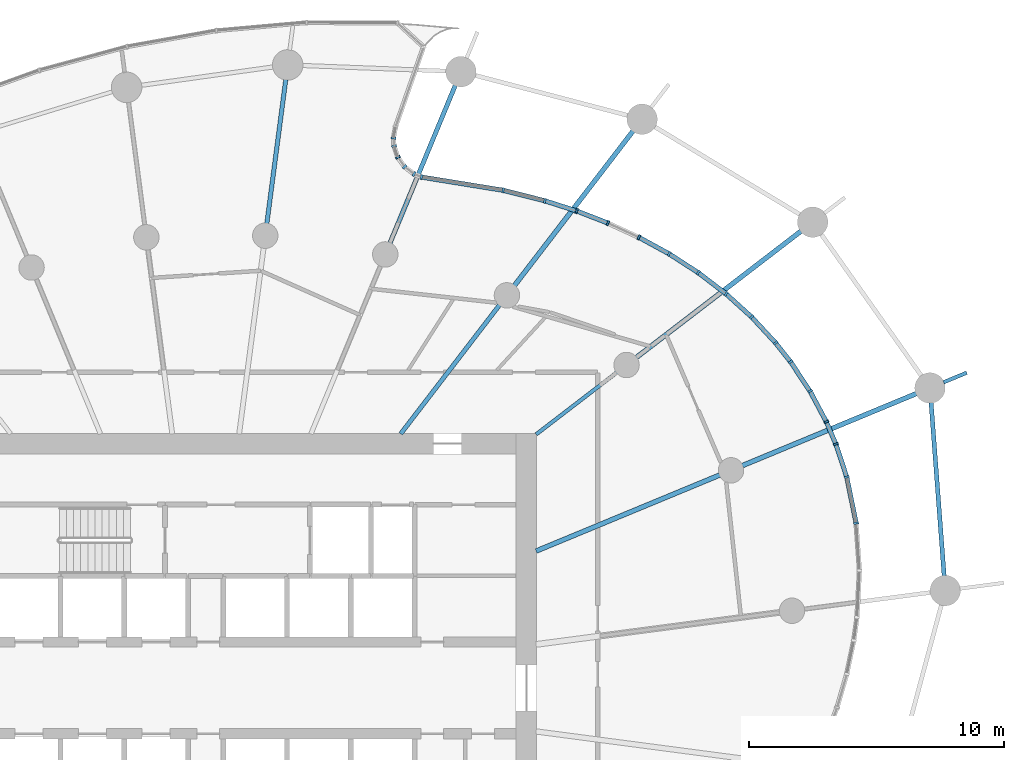
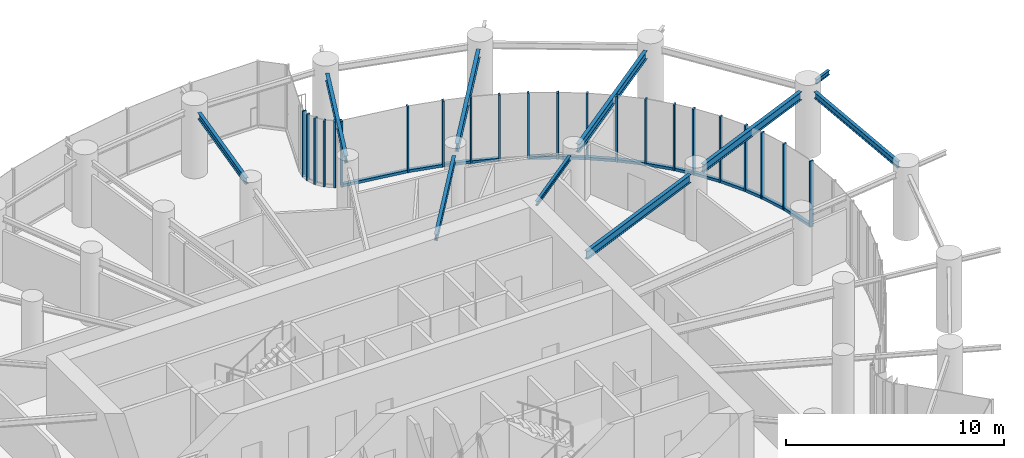
# One storey, part 7 of 21: 37 members, 10 beams, 5 elements without a shape of their own.
"""IFC4 building model written with IfcOpenShell, lengths in metres."""

from ifc_helpers import new_model, si_unit, direction, frame, origin, origin_2d, place, context, subcontext, project, spatial, rectangle, i_section, extrude, source, transform, mapped, material, layer, layer_set, material_profile, profile_set, type_object, element, aggregate, save


model = new_model("IFC4")

# Units and contexts
model_context = context("Model", 3, precision=1e-05, world=origin(), true_north=direction((0.0, 1.0)))
body_context = subcontext(model_context, "Body", "Model", "MODEL_VIEW")
ifc_project = project(units=[si_unit("LENGTHUNIT", "METRE"), si_unit("AREAUNIT", "SQUARE_METRE"), si_unit("VOLUMEUNIT", "CUBIC_METRE"), si_unit("PLANEANGLEUNIT", "RADIAN"), si_unit("MASSUNIT", "GRAM", prefix="KILO")], contexts=[model_context])

# Site, building, storey
site_placement = place(None, origin())
site = spatial("IfcSite", under=ifc_project, at=site_placement, CompositionType="ELEMENT")
building_placement = place(site_placement, origin())
building = spatial("IfcBuilding", under=site, at=building_placement, Name="Spindrift Exchange Tower", CompositionType="ELEMENT")
storey_placement = place(building_placement, frame((0.0, 0.0, 83.89990234375)))
storey = spatial("IfcBuildingStorey", under=building, at=storey_placement, Name="L19", CompositionType="ELEMENT", Elevation=83.89990234375)

# Beams
ifc_material_1 = material(Name="Steel Grade 300", Category="steel")
ifc_material_profile_1 = material_profile(ifc_material_1, i_section(OverallWidth=0.18994140625, OverallDepth=0.45703125, WebThickness=0.009033203125, FlangeThickness=0.014404296875, FilletRadius=0.013916015625, at=origin_2d()), Name="460UB74.6")
ifc_profile_set_1 = profile_set([ifc_material_profile_1], Name="Steel Grade 300")
beam_type_1 = type_object("IfcBeamType", Name="Floor Beam 460UB74.6 Steel Grade 300", PredefinedType="BEAM", material=ifc_profile_set_1)
shared_shape_1 = source(origin(), body_context, "Body", "SweptSolid", [
    extrude(i_section(OverallWidth=0.18994140625, OverallDepth=0.45703125, WebThickness=0.009033203125, FlangeThickness=0.014404296875, FilletRadius=0.013916015625, at=origin_2d()), origin(), (0.0, 0.0, 1.0), 7.808837890625),
])
beam_1_placement = place(storey_placement, frame((64.9814453125, 53.377197265625, 3.4716796875), z_axis=(0.92387965154, 0.382683145003, 0.0), x_axis=(-0.382683145003, 0.92387965154, 0.0)))
element("IfcBeam", 1, at=beam_1_placement, inside=storey, type_object=beam_type_1, Name="L19 radial beam R02A", PredefinedType="BEAM", context=body_context, shape_type="MappedRepresentation", body=[
    mapped(shared_shape_1, transform((0.0, 0.0, 0.0), scale=1.0)),
])
ifc_material_profile_2 = material_profile(ifc_material_1, i_section(OverallWidth=0.14599609375, OverallDepth=0.251953125, WebThickness=0.006103515625, FlangeThickness=0.008544921875, FilletRadius=0.011962890625, at=origin_2d()), Name="250UB31.4")
ifc_profile_set_2 = profile_set([ifc_material_profile_2], Name="Steel Grade 300")
beam_type_2 = type_object("IfcBeamType", Name="Floor Beam 250UB31.4 Steel Grade 300", PredefinedType="BEAM", material=ifc_profile_set_2)
shared_shape_2 = source(origin(), body_context, "Body", "SweptSolid", [
    extrude(i_section(OverallWidth=0.14599609375, OverallDepth=0.251953125, WebThickness=0.006103515625, FlangeThickness=0.008544921875, FilletRadius=0.011962890625, at=origin_2d()), origin(), (0.0, 0.0, 1.0), 3.99560546875),
])
beam_2_placement = place(storey_placement, frame((64.984130859375, 57.963134765625, 3.57421875), z_axis=(0.793352561574, 0.608762443851, 0.0), x_axis=(-0.608762443851, 0.793352561574, 0.0)))
element("IfcBeam", 2, at=beam_2_placement, inside=storey, type_object=beam_type_2, Name="L19 radial beam R03A", PredefinedType="BEAM", context=body_context, shape_type="MappedRepresentation", body=[
    mapped(shared_shape_2, transform((0.0, 0.0, 0.0), scale=1.0)),
])
ifc_material_profile_3 = material_profile(ifc_material_1, i_section(OverallWidth=0.172119140625, OverallDepth=0.35888671875, WebThickness=0.008056640625, FlangeThickness=0.012939453125, FilletRadius=0.013916015625, at=origin_2d()), Name="360UB56.7")
ifc_profile_set_3 = profile_set([ifc_material_profile_3], Name="Steel Grade 300")
beam_type_3 = type_object("IfcBeamType", Name="Floor Beam 360UB56.7 Steel Grade 300", PredefinedType="BEAM", material=ifc_profile_set_3)
shared_shape_3 = source(origin(), body_context, "Body", "SweptSolid", [
    extrude(i_section(OverallWidth=0.172119140625, OverallDepth=0.35888671875, WebThickness=0.008056640625, FlangeThickness=0.012939453125, FilletRadius=0.013916015625, at=origin_2d()), origin(), (0.0, 0.0, 1.0), 6.37646484375),
])
beam_3_placement = place(storey_placement, frame((59.6611328125, 57.984130859375, 3.5205078125), z_axis=(0.608766669952, 0.793349318747, 0.0), x_axis=(-0.793349318747, 0.608766669952, 0.0)))
element("IfcBeam", 3, at=beam_3_placement, inside=storey, type_object=beam_type_3, Name="L19 radial beam R04A", PredefinedType="BEAM", context=body_context, shape_type="MappedRepresentation", body=[
    mapped(shared_shape_3, transform((0.0, 0.0, 0.0), scale=1.0)),
])
shared_shape_4 = source(origin(), body_context, "Body", "SweptSolid", [
    extrude(i_section(OverallWidth=0.18994140625, OverallDepth=0.45703125, WebThickness=0.009033203125, FlangeThickness=0.014404296875, FilletRadius=0.013916015625, at=origin_2d()), origin(), (0.0, 0.0, 1.0), 7.400146484375),
])
beam_4_placement = place(storey_placement, frame((73.082763671875, 56.73291015625, 3.4716796875), z_axis=(0.923886957755, 0.382665505749, 0.0), x_axis=(-0.382665505749, 0.923886957755, 0.0)))
element("IfcBeam", 4, at=beam_4_placement, inside=storey, type_object=beam_type_1, Name="L19 radial beam R02B", PredefinedType="BEAM", context=body_context, shape_type="MappedRepresentation", body=[
    mapped(shared_shape_4, transform((0.0, 0.0, 0.0), scale=1.0)),
])
shared_shape_5 = source(origin(), body_context, "Body", "SweptSolid", [
    extrude(i_section(OverallWidth=0.18994140625, OverallDepth=0.45703125, WebThickness=0.009033203125, FlangeThickness=0.014404296875, FilletRadius=0.013916015625, at=origin_2d()), origin(), (0.0, 0.0, 1.0), 8.158447265625),
])
beam_5_placement = place(storey_placement, frame((68.91552734375, 60.979736328125, 3.4716796875), z_axis=(0.793358732539, 0.608754401631, 0.0), x_axis=(-0.608754401631, 0.793358732539, 0.0)))
element("IfcBeam", 5, at=beam_5_placement, inside=storey, type_object=beam_type_1, Name="L19 radial beam R03B", PredefinedType="BEAM", context=body_context, shape_type="MappedRepresentation", body=[
    mapped(shared_shape_5, transform((0.0, 0.0, 0.0), scale=1.0)),
])
shared_shape_6 = source(origin(), body_context, "Body", "SweptSolid", [
    extrude(i_section(OverallWidth=0.18994140625, OverallDepth=0.45703125, WebThickness=0.009033203125, FlangeThickness=0.014404296875, FilletRadius=0.013916015625, at=origin_2d()), origin(), (0.0, 0.0, 1.0), 7.663818359375),
])
beam_6_placement = place(storey_placement, frame((64.127197265625, 63.8046875, 3.4716796875), z_axis=(0.608771227503, 0.793345821546, 0.0), x_axis=(-0.793345821546, 0.608771227503, 0.0)))
element("IfcBeam", 6, at=beam_6_placement, inside=storey, type_object=beam_type_1, Name="L19 radial beam R04B", PredefinedType="BEAM", context=body_context, shape_type="MappedRepresentation", body=[
    mapped(shared_shape_6, transform((0.0, 0.0, 0.0), scale=1.0)),
])
ifc_material_profile_4 = material_profile(ifc_material_1, i_section(OverallWidth=0.177978515625, OverallDepth=0.406005859375, WebThickness=0.0078125, FlangeThickness=0.0126953125, FilletRadius=0.013916015625, at=origin_2d()), Name="410UB59.7")
ifc_profile_set_4 = profile_set([ifc_material_profile_4], Name="Steel Grade 300")
beam_type_4 = type_object("IfcBeamType", Name="Floor Beam 410UB59.7 Steel Grade 300", PredefinedType="BEAM", material=ifc_profile_set_4)
shared_shape_7 = source(origin(), body_context, "Body", "SweptSolid", [
    extrude(i_section(OverallWidth=0.177978515625, OverallDepth=0.406005859375, WebThickness=0.0078125, FlangeThickness=0.0126953125, FilletRadius=0.013916015625, at=origin_2d()), origin(), (0.0, 0.0, 1.0), 6.71240234375),
])
beam_7_placement = place(storey_placement, frame((59.23828125, 65.474853515625, 3.4970703125), z_axis=(0.382669812754, 0.923885173821, 0.0), x_axis=(-0.923885173821, 0.382669812754, 0.0)))
element("IfcBeam", 7, at=beam_7_placement, inside=storey, type_object=beam_type_4, Name="L19 radial beam R05B", PredefinedType="BEAM", context=body_context, shape_type="MappedRepresentation", body=[
    mapped(shared_shape_7, transform((0.0, 0.0, 0.0), scale=1.0)),
])
shared_shape_8 = source(origin(), body_context, "Body", "SweptSolid", [
    extrude(i_section(OverallWidth=0.172119140625, OverallDepth=0.35888671875, WebThickness=0.008056640625, FlangeThickness=0.012939453125, FilletRadius=0.013916015625, at=origin_2d()), origin(), (0.0, 0.0, 1.0), 5.70751953125),
])
beam_8_placement = place(storey_placement, frame((54.40185546875, 66.2431640625, 3.5205078125), z_axis=(0.130507624881, 0.991447305634, 0.0), x_axis=(-0.991447305634, 0.130507624881, 0.0)))
element("IfcBeam", 8, at=beam_8_placement, inside=storey, type_object=beam_type_3, Name="L19 radial beam R06B", PredefinedType="BEAM", context=body_context, shape_type="MappedRepresentation", body=[
    mapped(shared_shape_8, transform((0.0, 0.0, 0.0), scale=1.0)),
])
ifc_material_profile_5 = material_profile(ifc_material_1, i_section(OverallWidth=0.172119140625, OverallDepth=0.35888671875, WebThickness=0.008056640625, FlangeThickness=0.012939453125, FilletRadius=0.013916015625, at=origin_2d()), Name="360UB56.7")
ifc_profile_set_5 = profile_set([ifc_material_profile_5], Name="Steel Grade 300")
beam_type_5 = type_object("IfcBeamType", Name="Edge Beam 360UB56.7 Steel Grade 300", PredefinedType="SPANDREL", material=ifc_profile_set_5)
shared_shape_9 = source(origin(), body_context, "Body", "SweptSolid", [
    extrude(i_section(OverallWidth=0.172119140625, OverallDepth=0.35888671875, WebThickness=0.008056640625, FlangeThickness=0.012939453125, FilletRadius=0.013916015625, at=origin_2d()), origin(), (0.0, 0.0, 1.0), 6.82373046875),
])
beam_9_placement = place(storey_placement, frame((81.0126953125, 52.40380859375, 3.5205078125), z_axis=(-0.075276463877, 0.997162701863, 0.0), x_axis=(-0.997162701863, -0.075276463877, 0.0)))
element("IfcBeam", 9, at=beam_9_placement, inside=storey, type_object=beam_type_5, Name="L19 edge beam E01", PredefinedType="SPANDREL", context=body_context, shape_type="MappedRepresentation", body=[
    mapped(shared_shape_9, transform((0.0, 0.0, 0.0), scale=1.0)),
])
ifc_material_profile_6 = material_profile(ifc_material_1, i_section(OverallWidth=0.14599609375, OverallDepth=0.251953125, WebThickness=0.006103515625, FlangeThickness=0.008544921875, FilletRadius=0.011962890625, at=origin_2d()), Name="250UB31.4")
ifc_profile_set_6 = profile_set([ifc_material_profile_6], Name="Steel Grade 300")
beam_type_6 = type_object("IfcBeamType", Name="Cantilever Beam 250UB31.4 Steel Grade 300", PredefinedType="BEAM", material=ifc_profile_set_6)
shared_shape_10 = source(origin(), body_context, "Body", "SweptSolid", [
    extrude(i_section(OverallWidth=0.14599609375, OverallDepth=0.251953125, WebThickness=0.006103515625, FlangeThickness=0.008544921875, FilletRadius=0.011962890625, at=origin_2d()), origin(), (0.0, 0.0, 1.0), 0.986328125),
])
beam_10_placement = place(storey_placement, frame((80.9912109375, 60.008544921875, 3.57421875), z_axis=(0.92390221415, 0.382628669455, 0.0), x_axis=(-0.382628669455, 0.92390221415, 0.0)))
element("IfcBeam", 10, at=beam_10_placement, inside=storey, type_object=beam_type_6, Name="L19 cantilever beam R02T", PredefinedType="BEAM", context=body_context, shape_type="MappedRepresentation", body=[
    mapped(shared_shape_10, transform((0.0, 0.0, 0.0), scale=1.0)),
])

# Curtain wall, members
ifc_material_2 = material(Name="Fritted laminated glass with bronze frame", Category="glass")
ifc_layer = layer(ifc_material_2, 0.199951171875)
ifc_layer_set = layer_set([ifc_layer], Name="SKY GARDEN BRONZE GLAZED WALL")
curtain_wall_type = type_object("IfcCurtainWallType", Name="SKY GARDEN BRONZE GLAZED WALL", PredefinedType="NOTDEFINED", material=ifc_layer_set)
curtain_wall_1_placement = place(storey_placement, origin())
curtain_wall_1 = element("IfcCurtainWall", 11, at=curtain_wall_1_placement, inside=storey, type_object=curtain_wall_type, Name="L19 Sky Garden Bronze Glazed Wall run 10", PredefinedType="NOTDEFINED")
ifc_material_3 = material(Name="Bronze anodised aluminium", Category="aluminium")
ifc_material_profile_7 = material_profile(ifc_material_3, rectangle(XDim=0.179931640625, YDim=0.14990234375, at=origin_2d()), Name="SKY GARDEN BRONZE GLAZED WALL TRANSOM 180X150")
ifc_profile_set_7 = profile_set([ifc_material_profile_7], Name="Bronze anodised aluminium")
member_type_1 = type_object("IfcMemberType", Name="SKY GARDEN BRONZE GLAZED WALL TRANSOM 180X150", PredefinedType="USERDEFINED", material=ifc_profile_set_7)
shared_shape_11 = source(origin(), body_context, "Body", "SweptSolid", [
    extrude(rectangle(XDim=0.179931640625, YDim=0.14990234375, at=origin_2d()), origin(), (0.0, 0.0, 1.0), 1.27734375),
])
member_1_placement = place(storey_placement, frame((77.172119140625, 56.3271484375, 0.0751953125), z_axis=(-0.313473980582, 0.949596789958, 0.0), x_axis=(-0.949596789958, -0.313473980582, 0.0)))
member_1 = element("IfcMember", 12, at=member_1_placement, type_object=member_type_1, Name="L19 transom CW-G.54", ObjectType="TRANSOM", PredefinedType="USERDEFINED", context=body_context, shape_type="MappedRepresentation", body=[
    mapped(shared_shape_11, transform((0.0, 0.0, 0.0), scale=1.0)),
])
shared_shape_12 = source(origin(), body_context, "Body", "SweptSolid", [
    extrude(rectangle(XDim=0.179931640625, YDim=0.14990234375, at=origin_2d()), origin(), (0.0, 0.0, 1.0), 1.277587890625),
])
member_2_placement = place(storey_placement, frame((76.365478515625, 58.4912109375, 0.0751953125), z_axis=(-0.468791888775, 0.883308646521, 0.0), x_axis=(-0.883308646521, -0.468791888775, 0.0)))
member_2 = element("IfcMember", 13, at=member_2_placement, type_object=member_type_1, Name="L19 transom CW-G.56", ObjectType="TRANSOM", PredefinedType="USERDEFINED", context=body_context, shape_type="MappedRepresentation", body=[
    mapped(shared_shape_12, transform((0.0, 0.0, 0.0), scale=1.0)),
])
shared_shape_13 = source(origin(), body_context, "Body", "SweptSolid", [
    extrude(rectangle(XDim=0.179931640625, YDim=0.14990234375, at=origin_2d()), origin(), (0.0, 0.0, 1.0), 0.86181640625),
])
member_3_placement = place(storey_placement, frame((74.95263671875, 60.845458984375, 0.0751953125), z_axis=(-0.619846344347, 0.784723205595, 0.0), x_axis=(-0.784723205595, -0.619846344347, 0.0)))
member_3 = element("IfcMember", 14, at=member_3_placement, type_object=member_type_1, Name="L19 transom CW-G.58", ObjectType="TRANSOM", PredefinedType="USERDEFINED", context=body_context, shape_type="MappedRepresentation", body=[
    mapped(shared_shape_13, transform((0.0, 0.0, 0.0), scale=1.0)),
])
shared_shape_14 = source(origin(), body_context, "Body", "SweptSolid", [
    extrude(rectangle(XDim=0.179931640625, YDim=0.14990234375, at=origin_2d()), origin(), (0.0, 0.0, 1.0), 1.2978515625),
])
member_4_placement = place(storey_placement, frame((74.36328125, 61.586181640625, 0.0751953125), z_axis=(-0.679209215413, 0.733944712971, 0.0), x_axis=(-0.733944712971, -0.679209215413, 0.0)))
member_4 = element("IfcMember", 15, at=member_4_placement, type_object=member_type_1, Name="L19 transom CW-G.59", ObjectType="TRANSOM", PredefinedType="USERDEFINED", context=body_context, shape_type="MappedRepresentation", body=[
    mapped(shared_shape_14, transform((0.0, 0.0, 0.0), scale=1.0)),
])

curtain_wall_2_placement = place(storey_placement, origin())
curtain_wall_2 = element("IfcCurtainWall", 16, at=curtain_wall_2_placement, inside=storey, type_object=curtain_wall_type, Name="L19 Sky Garden Bronze Glazed Wall run 11", PredefinedType="NOTDEFINED")
shared_shape_15 = source(origin(), body_context, "Body", "SweptSolid", [
    extrude(rectangle(XDim=0.179931640625, YDim=0.14990234375, at=origin_2d()), origin(), (0.0, 0.0, 1.0), 1.279541015625),
])
member_5_placement = place(storey_placement, frame((71.317626953125, 64.338134765625, 0.0751953125), z_axis=(-0.840091909542, 0.542444083313, 0.0), x_axis=(-0.542444083313, -0.840091909542, 0.0)))
member_5 = element("IfcMember", 17, at=member_5_placement, type_object=member_type_1, Name="L19 transom CW-G.62", ObjectType="TRANSOM", PredefinedType="USERDEFINED", context=body_context, shape_type="MappedRepresentation", body=[
    mapped(shared_shape_15, transform((0.0, 0.0, 0.0), scale=1.0)),
])
shared_shape_16 = source(origin(), body_context, "Body", "SweptSolid", [
    extrude(rectangle(XDim=0.179931640625, YDim=0.14990234375, at=origin_2d()), origin(), (0.0, 0.0, 1.0), 1.267578125),
])
member_6_placement = place(storey_placement, frame((70.169677734375, 65.07568359375, 0.0751953125), z_axis=(-0.877578845568, 0.479432341224, 0.0), x_axis=(-0.479432341224, -0.877578845568, 0.0)))
member_6 = element("IfcMember", 18, at=member_6_placement, type_object=member_type_1, Name="L19 transom CW-G.63", ObjectType="TRANSOM", PredefinedType="USERDEFINED", context=body_context, shape_type="MappedRepresentation", body=[
    mapped(shared_shape_16, transform((0.0, 0.0, 0.0), scale=1.0)),
])

# Curtain wall, member
curtain_wall_3_placement = place(storey_placement, origin())
curtain_wall_3 = element("IfcCurtainWall", 19, at=curtain_wall_3_placement, inside=storey, type_object=curtain_wall_type, Name="L19 Sky Garden Bronze Glazed Wall run 12", PredefinedType="NOTDEFINED")
shared_shape_17 = source(origin(), body_context, "Body", "SweptSolid", [
    extrude(rectangle(XDim=0.179931640625, YDim=0.14990234375, at=origin_2d()), origin(), (0.0, 0.0, 1.0), 3.1689453125),
])
member_7_placement = place(storey_placement, frame((63.64697265625, 67.558349609375, 0.0751953125), z_axis=(-0.987139343147, 0.159862181927, 0.0), x_axis=(-0.159862181927, -0.987139343147, 0.0)))
member_7 = element("IfcMember", 20, at=member_7_placement, type_object=member_type_1, Name="L19 transom CW-G.68", ObjectType="TRANSOM", PredefinedType="USERDEFINED", context=body_context, shape_type="MappedRepresentation", body=[
    mapped(shared_shape_17, transform((0.0, 0.0, 0.0), scale=1.0)),
])

curtain_wall_4_placement = place(storey_placement, origin())
curtain_wall_4 = element("IfcCurtainWall", 21, at=curtain_wall_4_placement, inside=storey, type_object=curtain_wall_type, Name="L19 Sky Garden Bronze Glazed Wall run 9", PredefinedType="NOTDEFINED")
ifc_material_profile_8 = material_profile(ifc_material_3, rectangle(XDim=0.0849609375, YDim=0.199951171875, at=origin_2d()), Name="SKY GARDEN BRONZE GLAZED WALL MULLION 85X200")
ifc_profile_set_8 = profile_set([ifc_material_profile_8], Name="Bronze anodised aluminium")
member_type_2 = type_object("IfcMemberType", Name="SKY GARDEN BRONZE GLAZED WALL MULLION 85X200", PredefinedType="MULLION", material=ifc_profile_set_8)
shared_shape_18 = source(origin(), body_context, "Body", "SweptSolid", [
    extrude(rectangle(XDim=0.0849609375, YDim=0.199951171875, at=origin_2d()), origin(), (0.0, 0.0, 1.0), 3.7001953125),
])
member_8_placement = place(storey_placement, frame((77.556640625, 54.475830078125, 0.0), z_axis=(0.0, 0.0, 1.0), x_axis=(-0.136344377288, 0.990661501615, 0.0)))
member_8 = element("IfcMember", 22, at=member_8_placement, type_object=member_type_2, Name="L19 mullion CW-G.53", PredefinedType="MULLION", context=body_context, shape_type="MappedRepresentation", body=[
    mapped(shared_shape_18, transform((0.0, 0.0, 0.0), scale=1.0)),
])

# Member
member_9_placement = place(storey_placement, frame((77.185302734375, 56.28662109375, 0.0), z_axis=(0.0, 0.0, 1.0), x_axis=(-0.257603634896, 0.966250675181, 0.0)))
member_9 = element("IfcMember", 23, at=member_9_placement, type_object=member_type_2, Name="L19 mullion CW-G.54", PredefinedType="MULLION", context=body_context, shape_type="MappedRepresentation", body=[
    mapped(shared_shape_18, transform((0.0, 0.0, 0.0), scale=1.0)),
])

member_10_placement = place(storey_placement, frame((76.75830078125, 57.58056640625, 0.0), z_axis=(0.0, 0.0, 1.0), x_axis=(-0.35344212781, 0.935456392511, 0.0)))
member_10 = element("IfcMember", 24, at=member_10_placement, type_object=member_type_2, Name="L19 mullion CW-G.55", PredefinedType="MULLION", context=body_context, shape_type="MappedRepresentation", body=[
    mapped(shared_shape_18, transform((0.0, 0.0, 0.0), scale=1.0)),
])

member_11_placement = place(storey_placement, frame((76.385498046875, 58.45361328125, 0.0), z_axis=(0.0, 0.0, 1.0), x_axis=(-0.431188148514, 0.902262035432, 0.0)))
member_11 = element("IfcMember", 25, at=member_11_placement, type_object=member_type_2, Name="L19 mullion CW-G.56", PredefinedType="MULLION", context=body_context, shape_type="MappedRepresentation", body=[
    mapped(shared_shape_18, transform((0.0, 0.0, 0.0), scale=1.0)),
])

member_12_placement = place(storey_placement, frame((75.74658203125, 59.656982421875, 0.0), z_axis=(0.0, 0.0, 1.0), x_axis=(-0.511832922518, 0.859085012922, 0.0)))
member_12 = element("IfcMember", 26, at=member_12_placement, type_object=member_type_2, Name="L19 mullion CW-G.57", PredefinedType="MULLION", context=body_context, shape_type="MappedRepresentation", body=[
    mapped(shared_shape_18, transform((0.0, 0.0, 0.0), scale=1.0)),
])

member_13_placement = place(storey_placement, frame((74.97900390625, 60.81201171875, 0.0), z_axis=(0.0, 0.0, 1.0), x_axis=(-0.587117570198, 0.809501673108, 0.0)))
member_13 = element("IfcMember", 27, at=member_13_placement, type_object=member_type_2, Name="L19 mullion CW-G.58", PredefinedType="MULLION", context=body_context, shape_type="MappedRepresentation", body=[
    mapped(shared_shape_18, transform((0.0, 0.0, 0.0), scale=1.0)),
])

member_14_placement = place(storey_placement, frame((74.39208984375, 61.55517578125, 0.0), z_axis=(0.0, 0.0, 1.0), x_axis=(-0.649997386525, 0.759936443073, 0.0)))
member_14 = element("IfcMember", 28, at=member_14_placement, type_object=member_type_2, Name="L19 mullion CW-G.59", PredefinedType="MULLION", context=body_context, shape_type="MappedRepresentation", body=[
    mapped(shared_shape_18, transform((0.0, 0.0, 0.0), scale=1.0)),
])

member_15_placement = place(storey_placement, frame((73.45263671875, 62.570068359375, 0.0), z_axis=(0.0, 0.0, 1.0), x_axis=(-0.711116820974, 0.703073870179, 0.0)))
member_15 = element("IfcMember", 29, at=member_15_placement, type_object=member_type_2, Name="L19 mullion CW-G.60", PredefinedType="MULLION", context=body_context, shape_type="MappedRepresentation", body=[
    mapped(shared_shape_18, transform((0.0, 0.0, 0.0), scale=1.0)),
])

member_16_placement = place(storey_placement, frame((72.4453125, 63.4814453125, 0.0), z_axis=(0.0, 0.0, 1.0), x_axis=(-0.768864364899, 0.639411908232, 0.0)))
member_16 = element("IfcMember", 30, at=member_16_placement, type_object=member_type_2, Name="L19 mullion CW-G.61", PredefinedType="MULLION", context=body_context, shape_type="MappedRepresentation", body=[
    mapped(shared_shape_18, transform((0.0, 0.0, 0.0), scale=1.0)),
])

member_17_placement = place(storey_placement, frame((71.353271484375, 64.315185546875, 0.0), z_axis=(0.0, 0.0, 1.0), x_axis=(-0.818118191795, 0.575050105864, 0.0)))
member_17 = element("IfcMember", 31, at=member_17_placement, type_object=member_type_2, Name="L19 mullion CW-G.62", PredefinedType="MULLION", context=body_context, shape_type="MappedRepresentation", body=[
    mapped(shared_shape_18, transform((0.0, 0.0, 0.0), scale=1.0)),
])

member_18_placement = place(storey_placement, frame((70.206787109375, 65.055419921875, 0.0), z_axis=(0.0, 0.0, 1.0), x_axis=(-0.859403626574, 0.51129776709, 0.0)))
member_18 = element("IfcMember", 32, at=member_18_placement, type_object=member_type_2, Name="L19 mullion CW-G.63", PredefinedType="MULLION", context=body_context, shape_type="MappedRepresentation", body=[
    mapped(shared_shape_18, transform((0.0, 0.0, 0.0), scale=1.0)),
])

member_19_placement = place(storey_placement, frame((69.02001953125, 65.703857421875, 0.0), z_axis=(0.0, 0.0, 1.0), x_axis=(-0.89337889163, 0.449304079649, 0.0)))
member_19 = element("IfcMember", 33, at=member_19_placement, type_object=member_type_2, Name="L19 mullion CW-G.64", PredefinedType="MULLION", context=body_context, shape_type="MappedRepresentation", body=[
    mapped(shared_shape_18, transform((0.0, 0.0, 0.0), scale=1.0)),
])

member_20_placement = place(storey_placement, frame((67.805419921875, 66.263671875, 0.0), z_axis=(0.0, 0.0, 1.0), x_axis=(-0.920936071923, 0.389713678785, 0.0)))
member_20 = element("IfcMember", 34, at=member_20_placement, type_object=member_type_2, Name="L19 mullion CW-G.65", PredefinedType="MULLION", context=body_context, shape_type="MappedRepresentation", body=[
    mapped(shared_shape_18, transform((0.0, 0.0, 0.0), scale=1.0)),
])

member_21_placement = place(storey_placement, frame((66.57421875, 66.739501953125, 0.0), z_axis=(0.0, 0.0, 1.0), x_axis=(-0.942998836335, 0.332796025622, 0.0)))
member_21 = element("IfcMember", 35, at=member_21_placement, type_object=member_type_2, Name="L19 mullion CW-G.66", PredefinedType="MULLION", context=body_context, shape_type="MappedRepresentation", body=[
    mapped(shared_shape_18, transform((0.0, 0.0, 0.0), scale=1.0)),
])

member_22_placement = place(storey_placement, frame((65.32373046875, 67.1396484375, 0.0), z_axis=(0.0, 0.0, 1.0), x_axis=(-0.961526386275, 0.274712592534, 0.0)))
member_22 = element("IfcMember", 36, at=member_22_placement, type_object=member_type_2, Name="L19 mullion CW-G.67", PredefinedType="MULLION", context=body_context, shape_type="MappedRepresentation", body=[
    mapped(shared_shape_18, transform((0.0, 0.0, 0.0), scale=1.0)),
])

member_23_placement = place(storey_placement, frame((63.68896484375, 67.551513671875, 0.0), z_axis=(0.0, 0.0, 1.0), x_axis=(-0.979328482699, 0.202276352977, 0.0)))
member_23 = element("IfcMember", 37, at=member_23_placement, type_object=member_type_2, Name="L19 mullion CW-G.68", PredefinedType="MULLION", context=body_context, shape_type="MappedRepresentation", body=[
    mapped(shared_shape_18, transform((0.0, 0.0, 0.0), scale=1.0)),
])

member_24_placement = place(storey_placement, frame((60.476806640625, 68.07177734375, 0.0), z_axis=(0.0, 0.0, 1.0), x_axis=(-0.961221001996, 0.275779232942, 0.0)))
member_24 = element("IfcMember", 38, at=member_24_placement, type_object=member_type_2, Name="L19 mullion CW-G.69", PredefinedType="MULLION", context=body_context, shape_type="MappedRepresentation", body=[
    mapped(shared_shape_18, transform((0.0, 0.0, 0.0), scale=1.0)),
])

member_25_placement = place(storey_placement, frame((60.18701171875, 68.19384765625, 0.0), z_axis=(0.0, 0.0, 1.0), x_axis=(-0.865702128738, 0.500559511246, 0.0)))
member_25 = element("IfcMember", 39, at=member_25_placement, type_object=member_type_2, Name="L19 mullion CW-G.70", PredefinedType="MULLION", context=body_context, shape_type="MappedRepresentation", body=[
    mapped(shared_shape_18, transform((0.0, 0.0, 0.0), scale=1.0)),
])

member_26_placement = place(storey_placement, frame((59.818115234375, 68.474365234375, 0.0), z_axis=(0.0, 0.0, 1.0), x_axis=(-0.697038918296, 0.717033295169, 0.0)))
member_26 = element("IfcMember", 40, at=member_26_placement, type_object=member_type_2, Name="L19 mullion CW-G.71", PredefinedType="MULLION", context=body_context, shape_type="MappedRepresentation", body=[
    mapped(shared_shape_18, transform((0.0, 0.0, 0.0), scale=1.0)),
])

# Curtain wall, members
curtain_wall_5_placement = place(storey_placement, origin())
curtain_wall_5 = element("IfcCurtainWall", 41, at=curtain_wall_5_placement, inside=storey, type_object=curtain_wall_type, Name="L19 Sky Garden Bronze Glazed Wall run 13", PredefinedType="NOTDEFINED")
member_27_placement = place(storey_placement, frame((59.55078125, 68.84716796875, 0.0), z_axis=(0.0, 0.0, 1.0), x_axis=(-0.455316365053, 0.89032971854, 0.0)))
member_27 = element("IfcMember", 42, at=member_27_placement, type_object=member_type_2, Name="L19 mullion CW-G.72", PredefinedType="MULLION", context=body_context, shape_type="MappedRepresentation", body=[
    mapped(shared_shape_18, transform((0.0, 0.0, 0.0), scale=1.0)),
])
member_28_placement = place(storey_placement, frame((59.403564453125, 69.28662109375, 0.0), z_axis=(0.0, 0.0, 1.0), x_axis=(-0.196236038017, 0.980556687491, 0.0)))
member_28 = element("IfcMember", 43, at=member_28_placement, type_object=member_type_2, Name="L19 mullion CW-G.73", PredefinedType="MULLION", context=body_context, shape_type="MappedRepresentation", body=[
    mapped(shared_shape_18, transform((0.0, 0.0, 0.0), scale=1.0)),
])
member_29_placement = place(storey_placement, frame((59.381103515625, 69.600341796875, 0.0), z_axis=(0.0, 0.0, 1.0), x_axis=(0.053713511933, 0.998556387309, 0.0)))
member_29 = element("IfcMember", 44, at=member_29_placement, type_object=member_type_2, Name="L19 mullion CW-G.74", PredefinedType="MULLION", context=body_context, shape_type="MappedRepresentation", body=[
    mapped(shared_shape_18, transform((0.0, 0.0, 0.0), scale=1.0)),
])
aggregate(curtain_wall_5, [member_27, member_28, member_29])

# Member
shared_shape_19 = source(origin(), body_context, "Body", "SweptSolid", [
    extrude(rectangle(XDim=0.179931640625, YDim=0.14990234375, at=origin_2d()), origin(), (0.0, 0.0, 1.0), 1.763671875),
])
member_30_placement = place(storey_placement, frame((77.548095703125, 54.517333984375, 0.0751953125), z_axis=(-0.200852180871, 0.979621560318, 0.0), x_axis=(-0.979621560318, -0.200852180871, 0.0)))
member_30 = element("IfcMember", 45, at=member_30_placement, type_object=member_type_1, Name="L19 transom CW-G.53", ObjectType="TRANSOM", PredefinedType="USERDEFINED", context=body_context, shape_type="MappedRepresentation", body=[
    mapped(shared_shape_19, transform((0.0, 0.0, 0.0), scale=1.0)),
])

aggregate(curtain_wall_4, [member_8, member_30])

shared_shape_20 = source(origin(), body_context, "Body", "SweptSolid", [
    extrude(rectangle(XDim=0.179931640625, YDim=0.14990234375, at=origin_2d()), origin(), (0.0, 0.0, 1.0), 0.864501953125),
])
member_31_placement = place(storey_placement, frame((76.74169921875, 57.61962890625, 0.0751953125), z_axis=(-0.392862354522, 0.919597287077, 0.0), x_axis=(-0.919597287077, -0.392862354522, 0.0)))
member_31 = element("IfcMember", 46, at=member_31_placement, type_object=member_type_1, Name="L19 transom CW-G.55", ObjectType="TRANSOM", PredefinedType="USERDEFINED", context=body_context, shape_type="MappedRepresentation", body=[
    mapped(shared_shape_20, transform((0.0, 0.0, 0.0), scale=1.0)),
])

shared_shape_21 = source(origin(), body_context, "Body", "SweptSolid", [
    extrude(rectangle(XDim=0.179931640625, YDim=0.14990234375, at=origin_2d()), origin(), (0.0, 0.0, 1.0), 1.302001953125),
])
member_32_placement = place(storey_placement, frame((75.72314453125, 59.6923828125, 0.0751953125), z_axis=(-0.553574537559, 0.832799634586, 0.0), x_axis=(-0.832799634586, -0.553574537559, 0.0)))
member_32 = element("IfcMember", 47, at=member_32_placement, type_object=member_type_1, Name="L19 transom CW-G.57", ObjectType="TRANSOM", PredefinedType="USERDEFINED", context=body_context, shape_type="MappedRepresentation", body=[
    mapped(shared_shape_21, transform((0.0, 0.0, 0.0), scale=1.0)),
])

aggregate(curtain_wall_1, [member_9, member_1, member_10, member_31, member_11, member_2, member_12, member_32, member_13, member_3, member_14, member_4])

shared_shape_22 = source(origin(), body_context, "Body", "SweptSolid", [
    extrude(rectangle(XDim=0.179931640625, YDim=0.14990234375, at=origin_2d()), origin(), (0.0, 0.0, 1.0), 1.2734375),
])
member_33_placement = place(storey_placement, frame((73.421142578125, 62.5986328125, 0.0751953125), z_axis=(-0.741594823928, 0.67084805815, 0.0), x_axis=(-0.67084805815, -0.741594823928, 0.0)))
member_33 = element("IfcMember", 48, at=member_33_placement, type_object=member_type_1, Name="L19 transom CW-G.60", ObjectType="TRANSOM", PredefinedType="USERDEFINED", context=body_context, shape_type="MappedRepresentation", body=[
    mapped(shared_shape_22, transform((0.0, 0.0, 0.0), scale=1.0)),
])

shared_shape_23 = source(origin(), body_context, "Body", "SweptSolid", [
    extrude(rectangle(XDim=0.179931640625, YDim=0.14990234375, at=origin_2d()), origin(), (0.0, 0.0, 1.0), 1.2890625),
])
member_34_placement = place(storey_placement, frame((72.41162109375, 63.50732421875, 0.0751953125), z_axis=(-0.794948842163, 0.606676469252, 0.0), x_axis=(-0.606676469252, -0.794948842163, 0.0)))
member_34 = element("IfcMember", 49, at=member_34_placement, type_object=member_type_1, Name="L19 transom CW-G.61", ObjectType="TRANSOM", PredefinedType="USERDEFINED", context=body_context, shape_type="MappedRepresentation", body=[
    mapped(shared_shape_23, transform((0.0, 0.0, 0.0), scale=1.0)),
])

shared_shape_24 = source(origin(), body_context, "Body", "SweptSolid", [
    extrude(rectangle(XDim=0.179931640625, YDim=0.14990234375, at=origin_2d()), origin(), (0.0, 0.0, 1.0), 1.23486328125),
])
member_35_placement = place(storey_placement, frame((67.765625, 66.279052734375, 0.0751953125), z_axis=(-0.932789070616, 0.360422737544, 0.0), x_axis=(-0.360422737544, -0.932789070616, 0.0)))
member_35 = element("IfcMember", 50, at=member_35_placement, type_object=member_type_1, Name="L19 transom CW-G.65", ObjectType="TRANSOM", PredefinedType="USERDEFINED", context=body_context, shape_type="MappedRepresentation", body=[
    mapped(shared_shape_24, transform((0.0, 0.0, 0.0), scale=1.0)),
])

aggregate(curtain_wall_2, [member_15, member_33, member_16, member_34, member_17, member_5, member_18, member_6, member_19, member_20, member_35])

shared_shape_25 = source(origin(), body_context, "Body", "SweptSolid", [
    extrude(rectangle(XDim=0.179931640625, YDim=0.14990234375, at=origin_2d()), origin(), (0.0, 0.0, 1.0), 1.227783203125),
])
member_36_placement = place(storey_placement, frame((66.53369140625, 66.75244140625, 0.0751953125), z_axis=(-0.952412603205, 0.304811799731, 0.0), x_axis=(-0.304811799731, -0.952412603205, 0.0)))
member_36 = element("IfcMember", 51, at=member_36_placement, type_object=member_type_1, Name="L19 transom CW-G.66", ObjectType="TRANSOM", PredefinedType="USERDEFINED", context=body_context, shape_type="MappedRepresentation", body=[
    mapped(shared_shape_25, transform((0.0, 0.0, 0.0), scale=1.0)),
])

shared_shape_26 = source(origin(), body_context, "Body", "SweptSolid", [
    extrude(rectangle(XDim=0.179931640625, YDim=0.14990234375, at=origin_2d()), origin(), (0.0, 0.0, 1.0), 1.6005859375),
])
member_37_placement = place(storey_placement, frame((65.282470703125, 67.150146484375, 0.0751953125), z_axis=(-0.969728391784, 0.244186089218, 0.0), x_axis=(-0.244186089218, -0.969728391784, 0.0)))
member_37 = element("IfcMember", 52, at=member_37_placement, type_object=member_type_1, Name="L19 transom CW-G.67", ObjectType="TRANSOM", PredefinedType="USERDEFINED", context=body_context, shape_type="MappedRepresentation", body=[
    mapped(shared_shape_26, transform((0.0, 0.0, 0.0), scale=1.0)),
])

aggregate(curtain_wall_3, [member_21, member_36, member_22, member_37, member_23, member_7, member_24, member_25, member_26])

save(model, "model.ifc")
